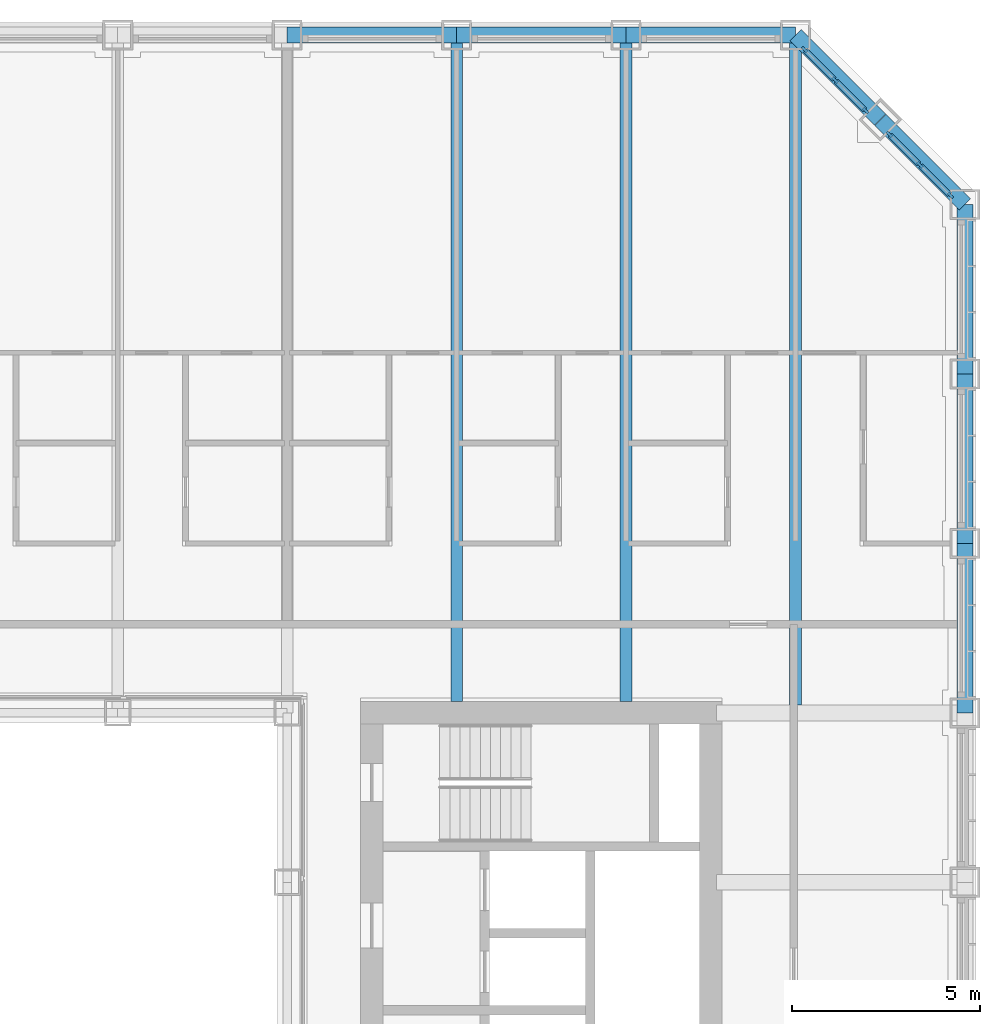
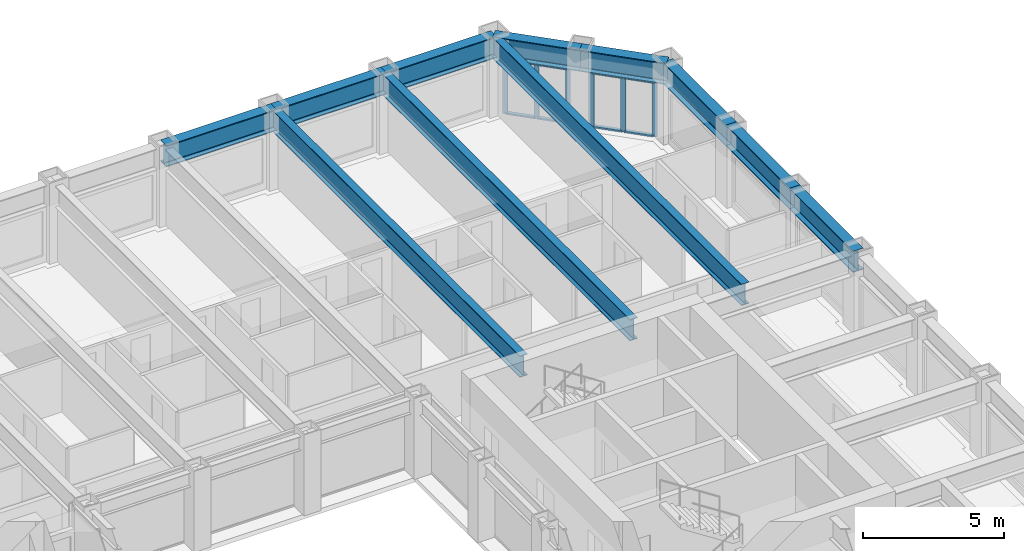
# One storey, part 7 of 21: 14 members, 11 beams, 2 elements without a shape of their own.
"""IFC4 building model written with IfcOpenShell, lengths in metres."""

from ifc_helpers import new_model, si_unit, direction, frame, origin, origin_2d, place, context, subcontext, project, spatial, rectangle, i_section, extrude, material, material_profile, profile_set, type_object, element, aggregate, save


model = new_model("IFC4")

# Units and contexts
model_context = context("Model", 3, precision=1e-05, world=origin(), true_north=direction((0.0, 1.0)))
body_context = subcontext(model_context, "Body", "Model", "MODEL_VIEW")
ifc_project = project(units=[si_unit("LENGTHUNIT", "METRE"), si_unit("AREAUNIT", "SQUARE_METRE"), si_unit("VOLUMEUNIT", "CUBIC_METRE"), si_unit("PLANEANGLEUNIT", "RADIAN"), si_unit("MASSUNIT", "GRAM", prefix="KILO")], contexts=[model_context])

# Site, building, storey
site_placement = place(None, origin())
site = spatial("IfcSite", under=ifc_project, at=site_placement, CompositionType="ELEMENT")
building_placement = place(site_placement, origin())
building = spatial("IfcBuilding", under=site, at=building_placement, Name="Msasa Ring Tower", CompositionType="ELEMENT")
storey_placement = place(building_placement, frame((0.0, 0.0, 89.5)))
storey = spatial("IfcBuildingStorey", under=building, at=storey_placement, Name="L23", CompositionType="ELEMENT", Elevation=89.5)

# Curtain wall, members
ifc_material_1 = material(Name="Aluminium curtain wall with clear glass", Category="aluminium")
curtain_wall_type = type_object("IfcCurtainWallType", Name="CW-C CHAMFER CORNER CURTAIN WALL", PredefinedType="NOTDEFINED", material=ifc_material_1)
curtain_wall_1_placement = place(storey_placement, origin())
curtain_wall_1 = element("IfcCurtainWall", 1, at=curtain_wall_1_placement, inside=storey, type_object=curtain_wall_type, Name="Chamfer corner curtain wall NE L23", PredefinedType="NOTDEFINED")
ifc_material_2 = material(Name="Aluminium mullion", Category="aluminium")
ifc_material_profile_1 = material_profile(ifc_material_2, rectangle(XDim=0.06494140625, YDim=0.179931640625, at=origin_2d()), Name="AL 65x180")
ifc_profile_set_1 = profile_set([ifc_material_profile_1], Name="Aluminium mullion")
member_type_1 = type_object("IfcMemberType", Name="CW-C MULLION 65x180", PredefinedType="MULLION", material=ifc_profile_set_1)
member_1_placement = place(storey_placement, frame((22.119873046875, 22.73876953125, 0.0), z_axis=(0.0, 0.0, 1.0), x_axis=(-0.707106781187, -0.707106781187, 0.0)))
member_1 = element("IfcMember", 2, at=member_1_placement, type_object=member_type_1, Name="CW-C mullion 1", PredefinedType="MULLION", context=body_context, shape_type="SweptSolid", body=[
    extrude(rectangle(XDim=0.06494140625, YDim=0.179931640625, at=origin_2d()), origin(), (0.0, 0.0, 1.0), 2.37890625),
])
member_2_placement = place(storey_placement, frame((21.30419921875, 23.55419921875, 0.0), z_axis=(0.0, 0.0, 1.0), x_axis=(-0.707106781187, -0.707106781187, 0.0)))
member_2 = element("IfcMember", 3, at=member_2_placement, type_object=member_type_1, Name="CW-C mullion 2", PredefinedType="MULLION", context=body_context, shape_type="SweptSolid", body=[
    extrude(rectangle(XDim=0.06494140625, YDim=0.179931640625, at=origin_2d()), origin(), (0.0, 0.0, 1.0), 2.37890625),
])
member_3_placement = place(storey_placement, frame((20.48876953125, 24.369873046875, 0.0), z_axis=(0.0, 0.0, 1.0), x_axis=(-0.707106781187, -0.707106781187, 0.0)))
member_3 = element("IfcMember", 4, at=member_3_placement, type_object=member_type_1, Name="CW-C mullion 3", PredefinedType="MULLION", context=body_context, shape_type="SweptSolid", body=[
    extrude(rectangle(XDim=0.06494140625, YDim=0.179931640625, at=origin_2d()), origin(), (0.0, 0.0, 1.0), 2.37890625),
])

curtain_wall_2_placement = place(storey_placement, origin())
curtain_wall_2 = element("IfcCurtainWall", 5, at=curtain_wall_2_placement, inside=storey, type_object=curtain_wall_type, Name="Chamfer corner curtain wall NE L23", PredefinedType="NOTDEFINED")
member_4_placement = place(storey_placement, frame((24.369873046875, 20.48876953125, 0.0), z_axis=(0.0, 0.0, 1.0), x_axis=(-0.707106781187, -0.707106781187, 0.0)))
member_4 = element("IfcMember", 6, at=member_4_placement, type_object=member_type_1, Name="CW-C mullion 1", PredefinedType="MULLION", context=body_context, shape_type="SweptSolid", body=[
    extrude(rectangle(XDim=0.06494140625, YDim=0.179931640625, at=origin_2d()), origin(), (0.0, 0.0, 1.0), 2.37890625),
])
member_5_placement = place(storey_placement, frame((23.55419921875, 21.30419921875, 0.0), z_axis=(0.0, 0.0, 1.0), x_axis=(-0.707106781187, -0.707106781187, 0.0)))
member_5 = element("IfcMember", 7, at=member_5_placement, type_object=member_type_1, Name="CW-C mullion 2", PredefinedType="MULLION", context=body_context, shape_type="SweptSolid", body=[
    extrude(rectangle(XDim=0.06494140625, YDim=0.179931640625, at=origin_2d()), origin(), (0.0, 0.0, 1.0), 2.37890625),
])
member_6_placement = place(storey_placement, frame((22.73876953125, 22.119873046875, 0.0), z_axis=(0.0, 0.0, 1.0), x_axis=(-0.707106781187, -0.707106781187, 0.0)))
member_6 = element("IfcMember", 8, at=member_6_placement, type_object=member_type_1, Name="CW-C mullion 3", PredefinedType="MULLION", context=body_context, shape_type="SweptSolid", body=[
    extrude(rectangle(XDim=0.06494140625, YDim=0.179931640625, at=origin_2d()), origin(), (0.0, 0.0, 1.0), 2.37890625),
])

# Member
ifc_material_3 = material(Name="Aluminium transom", Category="aluminium")
ifc_material_profile_2 = material_profile(ifc_material_3, rectangle(XDim=0.139892578125, YDim=0.06494140625, at=origin_2d()), Name="AL 65x140")
ifc_profile_set_2 = profile_set([ifc_material_profile_2], Name="Aluminium transom")
member_type_2 = type_object("IfcMemberType", Name="CW-C TRANSOM 65x140", PredefinedType="USERDEFINED", material=ifc_profile_set_2)
member_7_placement = place(storey_placement, frame((22.096923828125, 22.76171875, 0.032470703125), z_axis=(-0.707106781187, 0.707106781187, 0.0), x_axis=(-0.707106781187, -0.707106781187, 0.0)))
member_7 = element("IfcMember", 9, at=member_7_placement, type_object=member_type_2, Name="CW-C transom 1.1", ObjectType="TRANSOM", PredefinedType="USERDEFINED", context=body_context, shape_type="SweptSolid", body=[
    extrude(rectangle(XDim=0.139892578125, YDim=0.06494140625, at=origin_2d()), origin(), (0.0, 0.0, 1.0), 1.08837890625),
])

member_8_placement = place(storey_placement, frame((22.096923828125, 22.76171875, 2.346435546875), z_axis=(-0.707106781187, 0.707106781187, 0.0), x_axis=(-0.707106781187, -0.707106781187, 0.0)))
member_8 = element("IfcMember", 10, at=member_8_placement, type_object=member_type_2, Name="CW-C transom 1.2", ObjectType="TRANSOM", PredefinedType="USERDEFINED", context=body_context, shape_type="SweptSolid", body=[
    extrude(rectangle(XDim=0.139892578125, YDim=0.06494140625, at=origin_2d()), origin(), (0.0, 0.0, 1.0), 1.08837890625),
])

member_9_placement = place(storey_placement, frame((21.28125, 23.577392578125, 0.032470703125), z_axis=(-0.707106781187, 0.707106781187, 0.0), x_axis=(-0.707106781187, -0.707106781187, 0.0)))
member_9 = element("IfcMember", 11, at=member_9_placement, type_object=member_type_2, Name="CW-C transom 2.1", ObjectType="TRANSOM", PredefinedType="USERDEFINED", context=body_context, shape_type="SweptSolid", body=[
    extrude(rectangle(XDim=0.139892578125, YDim=0.06494140625, at=origin_2d()), origin(), (0.0, 0.0, 1.0), 1.08837890625),
])

member_10_placement = place(storey_placement, frame((21.28125, 23.577392578125, 2.346435546875), z_axis=(-0.707106781187, 0.707106781187, 0.0), x_axis=(-0.707106781187, -0.707106781187, 0.0)))
member_10 = element("IfcMember", 12, at=member_10_placement, type_object=member_type_2, Name="CW-C transom 2.2", ObjectType="TRANSOM", PredefinedType="USERDEFINED", context=body_context, shape_type="SweptSolid", body=[
    extrude(rectangle(XDim=0.139892578125, YDim=0.06494140625, at=origin_2d()), origin(), (0.0, 0.0, 1.0), 1.08837890625),
])

aggregate(curtain_wall_1, [member_1, member_2, member_3, member_7, member_8, member_9, member_10])

member_11_placement = place(storey_placement, frame((24.346923828125, 20.51171875, 0.032470703125), z_axis=(-0.707106781187, 0.707106781187, 0.0), x_axis=(-0.707106781187, -0.707106781187, 0.0)))
member_11 = element("IfcMember", 13, at=member_11_placement, type_object=member_type_2, Name="CW-C transom 1.1", ObjectType="TRANSOM", PredefinedType="USERDEFINED", context=body_context, shape_type="SweptSolid", body=[
    extrude(rectangle(XDim=0.139892578125, YDim=0.06494140625, at=origin_2d()), origin(), (0.0, 0.0, 1.0), 1.08837890625),
])

member_12_placement = place(storey_placement, frame((24.346923828125, 20.51171875, 2.346435546875), z_axis=(-0.707106781187, 0.707106781187, 0.0), x_axis=(-0.707106781187, -0.707106781187, 0.0)))
member_12 = element("IfcMember", 14, at=member_12_placement, type_object=member_type_2, Name="CW-C transom 1.2", ObjectType="TRANSOM", PredefinedType="USERDEFINED", context=body_context, shape_type="SweptSolid", body=[
    extrude(rectangle(XDim=0.139892578125, YDim=0.06494140625, at=origin_2d()), origin(), (0.0, 0.0, 1.0), 1.08837890625),
])

member_13_placement = place(storey_placement, frame((23.53125, 21.327392578125, 0.032470703125), z_axis=(-0.707106781187, 0.707106781187, 0.0), x_axis=(-0.707106781187, -0.707106781187, 0.0)))
member_13 = element("IfcMember", 15, at=member_13_placement, type_object=member_type_2, Name="CW-C transom 2.1", ObjectType="TRANSOM", PredefinedType="USERDEFINED", context=body_context, shape_type="SweptSolid", body=[
    extrude(rectangle(XDim=0.139892578125, YDim=0.06494140625, at=origin_2d()), origin(), (0.0, 0.0, 1.0), 1.08837890625),
])

member_14_placement = place(storey_placement, frame((23.53125, 21.327392578125, 2.346435546875), z_axis=(-0.707106781187, 0.707106781187, 0.0), x_axis=(-0.707106781187, -0.707106781187, 0.0)))
member_14 = element("IfcMember", 16, at=member_14_placement, type_object=member_type_2, Name="CW-C transom 2.2", ObjectType="TRANSOM", PredefinedType="USERDEFINED", context=body_context, shape_type="SweptSolid", body=[
    extrude(rectangle(XDim=0.139892578125, YDim=0.06494140625, at=origin_2d()), origin(), (0.0, 0.0, 1.0), 1.08837890625),
])

aggregate(curtain_wall_2, [member_4, member_5, member_6, member_11, member_12, member_13, member_14])

# Beams
ifc_material_4 = material(Name="Steel S355", Category="steel")
ifc_material_profile_3 = material_profile(ifc_material_4, i_section(OverallWidth=0.3076171875, OverallDepth=0.926513671875, WebThickness=0.01953125, FlangeThickness=0.031982421875, FilletRadius=0.01904296875, at=origin_2d()), Name="UB 914x305x289")
ifc_profile_set_3 = profile_set([ifc_material_profile_3], Name="Steel S355")
beam_type_1 = type_object("IfcBeamType", Name="FB3 UB 914x305x289", PredefinedType="BEAM", material=ifc_profile_set_3)
for number, where, z_axis, x_axis, name in (
    (17, (11.25, 24.75, 2.836669921875), (0.0, -1.0, 0.0), (1.0, 0.0, 0.0), "Floor beam N+11.25 under L24"),
    (18, (15.75, 24.75, 2.836669921875), (0.0, -1.0, 0.0), (1.0, 0.0, 0.0), "Floor beam N+15.75 under L24"),
):
    element("IfcBeam", number, at=place(storey_placement, frame(where, z_axis=z_axis, x_axis=x_axis)), inside=storey, type_object=beam_type_1, Name=name, PredefinedType="BEAM", context=body_context, shape_type="SweptSolid", body=[
        extrude(i_section(OverallWidth=0.3076171875, OverallDepth=0.926513671875, WebThickness=0.01953125, FlangeThickness=0.031982421875, FilletRadius=0.01904296875, at=origin_2d()), origin(), (0.0, 0.0, 1.0), 17.699951171875),
    ])
beam_placement = place(storey_placement, frame((20.25, 24.75, 2.836669921875), z_axis=(0.0, -1.0, 0.0), x_axis=(1.0, 0.0, 0.0)))
element("IfcBeam", 19, at=beam_placement, inside=storey, type_object=beam_type_1, Name="Floor beam N+20.25 under L24", PredefinedType="BEAM", context=body_context, shape_type="SweptSolid", body=[
    extrude(i_section(OverallWidth=0.3076171875, OverallDepth=0.926513671875, WebThickness=0.01953125, FlangeThickness=0.031982421875, FilletRadius=0.01904296875, at=origin_2d()), origin(), (0.0, 0.0, 1.0), 17.789794921875),
])
ifc_material_5 = material(Name="Steel S355", Category="steel")
ifc_material_profile_4 = material_profile(ifc_material_5, i_section(OverallWidth=0.42041015625, OverallDepth=0.9208984375, WebThickness=0.021484375, FlangeThickness=0.03662109375, FilletRadius=0.024169921875, at=origin_2d()), Name="UB 914x419x388")
ifc_profile_set_4 = profile_set([ifc_material_profile_4], Name="Steel S355")
beam_type_2 = type_object("IfcBeamType", Name="SB1 UB 914x419x388", PredefinedType="SPANDREL", material=ifc_profile_set_4)
for number, where, z_axis, x_axis, name in (
    (20, (24.75, 6.75, 2.839599609375), (0.0, 1.0, 0.0), (-1.0, 0.0, 0.0), "Spandrel E+6.75 to E+11.25 under L24"),
    (21, (24.75, 11.25, 2.839599609375), (0.0, 1.0, 0.0), (-1.0, 0.0, 0.0), "Spandrel E+11.25 to E+15.75 under L24"),
    (22, (24.75, 15.75, 2.839599609375), (0.0, 1.0, 0.0), (-1.0, 0.0, 0.0), "Spandrel E+15.75 to E+20.25 under L24"),
):
    element("IfcBeam", number, at=place(storey_placement, frame(where, z_axis=z_axis, x_axis=x_axis)), inside=storey, type_object=beam_type_2, Name=name, PredefinedType="SPANDREL", context=body_context, shape_type="SweptSolid", body=[
        extrude(i_section(OverallWidth=0.42041015625, OverallDepth=0.9208984375, WebThickness=0.021484375, FlangeThickness=0.03662109375, FilletRadius=0.024169921875, at=origin_2d()), origin(), (0.0, 0.0, 1.0), 4.5),
    ])
for number, where, z_axis, x_axis, name in (
    (23, (24.75, 20.25, 2.839599609375), (-0.707106781187, 0.707106781187, 0.0), (-0.707106781187, -0.707106781187, 0.0), "Spandrel E+20.25 to NE under L24"),
    (24, (22.5, 22.5, 2.839599609375), (-0.707106781187, 0.707106781187, 0.0), (-0.707106781187, -0.707106781187, 0.0), "Spandrel NE to N+20.25 under L24"),
):
    element("IfcBeam", number, at=place(storey_placement, frame(where, z_axis=z_axis, x_axis=x_axis)), inside=storey, type_object=beam_type_2, Name=name, PredefinedType="SPANDREL", context=body_context, shape_type="SweptSolid", body=[
        extrude(i_section(OverallWidth=0.42041015625, OverallDepth=0.9208984375, WebThickness=0.021484375, FlangeThickness=0.03662109375, FilletRadius=0.024169921875, at=origin_2d()), origin(), (0.0, 0.0, 1.0), 3.181884765625),
    ])
for number, where, z_axis, x_axis, name in (
    (25, (20.25, 24.75, 2.839599609375), (-1.0, 0.0, 0.0), (0.0, -1.0, 0.0), "Spandrel N+20.25 to N+15.75 under L24"),
    (26, (15.75, 24.75, 2.839599609375), (-1.0, 0.0, 0.0), (0.0, -1.0, 0.0), "Spandrel N+15.75 to N+11.25 under L24"),
    (27, (11.25, 24.75, 2.839599609375), (-1.0, 0.0, 0.0), (0.0, -1.0, 0.0), "Spandrel N+11.25 to N+6.75 under L24"),
):
    element("IfcBeam", number, at=place(storey_placement, frame(where, z_axis=z_axis, x_axis=x_axis)), inside=storey, type_object=beam_type_2, Name=name, PredefinedType="SPANDREL", context=body_context, shape_type="SweptSolid", body=[
        extrude(i_section(OverallWidth=0.42041015625, OverallDepth=0.9208984375, WebThickness=0.021484375, FlangeThickness=0.03662109375, FilletRadius=0.024169921875, at=origin_2d()), origin(), (0.0, 0.0, 1.0), 4.5),
    ])

save(model, "model.ifc")
